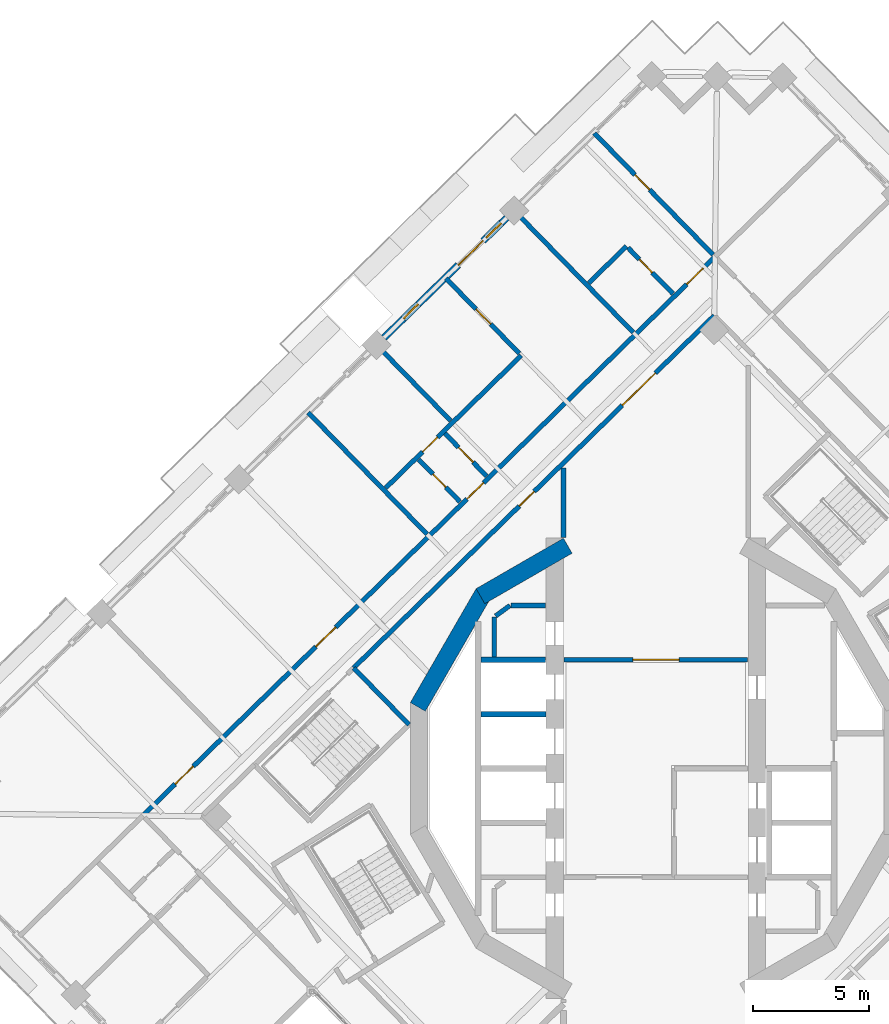
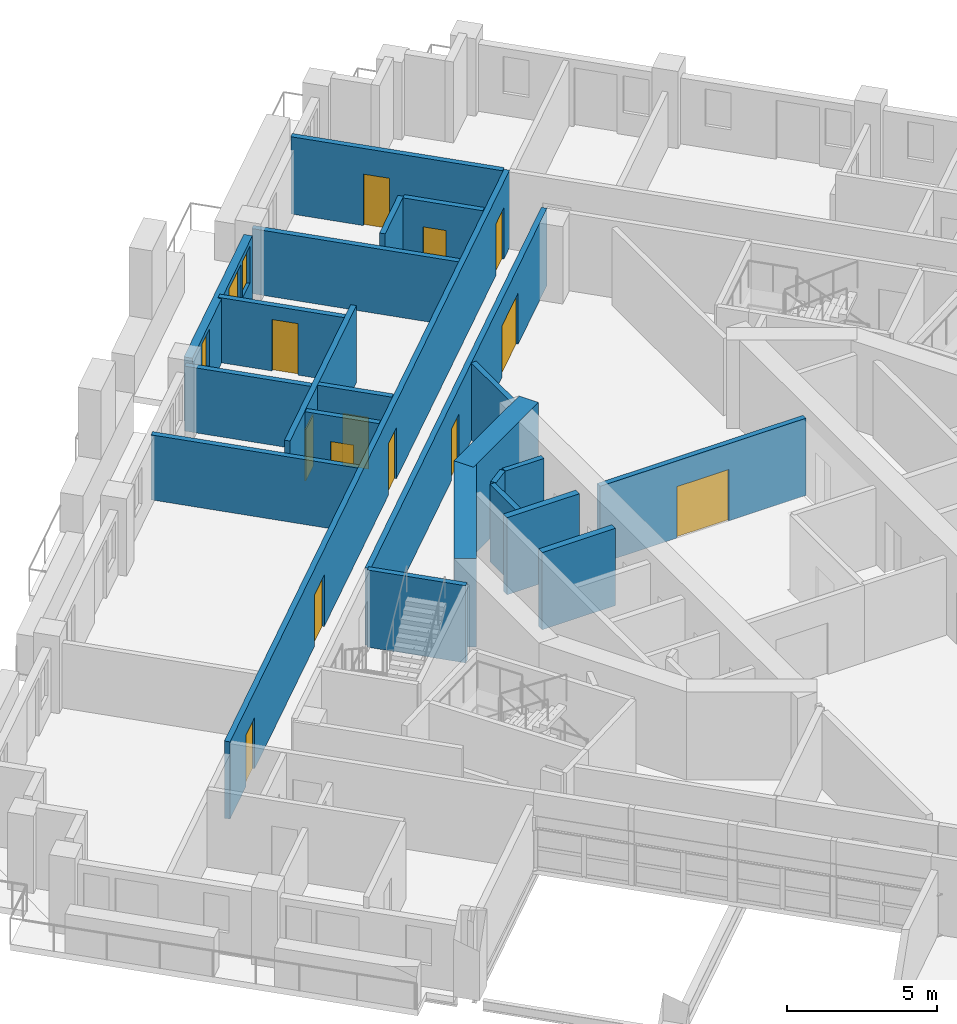
# One storey, part 10 of 19: 23 walls, 14 doors, 2 windows, 16 openings.
"""IFC4 building model written with IfcOpenShell, lengths in metres."""

from ifc_helpers import new_model, si_unit, direction, frame, frame_2d, origin, place, context, subcontext, project, spatial, rectangle, extrude, material, layer, layer_set, type_object, element, fill, save


model = new_model("IFC4")

# Units and contexts
model_context = context("Model", 3, precision=1e-05, world=origin(), true_north=direction((0.0, 1.0)))
body_context = subcontext(model_context, "Body", "Model", "MODEL_VIEW")
ifc_project = project(units=[si_unit("LENGTHUNIT", "METRE"), si_unit("AREAUNIT", "SQUARE_METRE"), si_unit("VOLUMEUNIT", "CUBIC_METRE"), si_unit("PLANEANGLEUNIT", "RADIAN"), si_unit("MASSUNIT", "GRAM", prefix="KILO")], contexts=[model_context])

# Site, building, storey
site_placement = place(None, origin())
site = spatial("IfcSite", under=ifc_project, at=site_placement, CompositionType="ELEMENT")
building_placement = place(site_placement, origin())
building = spatial("IfcBuilding", under=site, at=building_placement, Name="Cantera Rosa Tower", CompositionType="ELEMENT")
storey_placement = place(building_placement, frame((0.0, 0.0, 241.39990234375)))
storey = spatial("IfcBuildingStorey", under=building, at=storey_placement, Name="L53", CompositionType="ELEMENT", Elevation=241.39990234375)

# Wall
ifc_material_1 = material(Name="Gypsum board partition")
ifc_layer_1 = layer(ifc_material_1, 0.199951171875)
ifc_layer_set_1 = layer_set([ifc_layer_1], Name="CORRIDOR WALL 200 H3150")
wall_type_1 = type_object("IfcWallType", Name="CORRIDOR WALL 200 H3150", PredefinedType="PARTITIONING", material=ifc_layer_set_1)
wall_1_placement = place(storey_placement, frame((-4.0, 12.998046875, 0.0), z_axis=(0.0, 0.0, 1.0), x_axis=(0.0, -1.0, 0.0)))
element("IfcWall", 1, at=wall_1_placement, inside=storey, type_object=wall_type_1, Name="CORRIDOR WALL L53-056", PredefinedType="PARTITIONING", context=body_context, shape_type="SweptSolid", body=[
    extrude(rectangle(XDim=3.00390625, YDim=0.199951171875, at=frame_2d((1.501953125, 0.0))), origin(), (0.0, 0.0, 1.0), 3.150146484375),
])

# Wall, opening, door
wall_2_placement = place(storey_placement, frame((-3.969970703125, 4.699951171875, 0.0), z_axis=(0.0, 0.0, 1.0), x_axis=(1.0, 0.0, 0.0)))
wall_2 = element("IfcWall", 2, at=wall_2_placement, inside=storey, type_object=wall_type_1, Name="CORRIDOR WALL L53-057", PredefinedType="PARTITIONING", context=body_context, shape_type="SweptSolid", body=[
    extrude(rectangle(XDim=7.93994140625, YDim=0.199951171875, at=frame_2d((3.969970703125, 0.0))), origin(), (0.0, 0.0, 1.0), 3.150146484375),
])
opening_1_placement = place(wall_2_placement, frame((2.969970703125, 0.0, 0.0)))
opening_1 = element("IfcOpeningElement", 3, at=opening_1_placement, cuts=wall_2, Name="Opening L53-013", PredefinedType="OPENING", context=body_context, shape_type="SweptSolid", body=[
    extrude(rectangle(XDim=2.0, YDim=2.10009765625, at=frame_2d((1.0, 1.050048828125))), frame((0.0, 0.10986328125, 0.0), z_axis=(0.0, -1.0, 0.0), x_axis=(1.0, 0.0, 0.0)), (0.0, 0.0, 1.0), 0.219970703125),
])
ifc_material_2 = material(Name="Steel S355J2 (EN 10025-2)", Category="steel")
door_type_1 = type_object("IfcDoorType", Name="LOBBY SCREEN DOOR 2000x2100", OperationType="NOTDEFINED", PredefinedType="DOOR", material=ifc_material_2)
door_1_placement = place(opening_1_placement, origin())
door_1 = element("IfcDoor", 4, at=door_1_placement, inside=storey, type_object=door_type_1, Name="DOOR L53-013", OperationType="NOTDEFINED", OverallHeight=2.10009765625, OverallWidth=2.0, PredefinedType="DOOR", context=body_context, shape_type="SweptSolid", body=[
    extrude(rectangle(XDim=2.0, YDim=2.10009765625, at=frame_2d((1.0, 1.050048828125))), frame((0.0, 0.02490234375, 0.0), z_axis=(0.0, -1.0, 0.0), x_axis=(1.0, 0.0, 0.0)), (0.0, 0.0, 1.0), 0.050048828125),
])
fill(opening_1, door_1)

# Wall, openings, doors
wall_3_placement = place(storey_placement, frame((2.5263671875, 19.593994140625, 0.0), z_axis=(0.0, 0.0, 1.0), x_axis=(-0.715295644999, -0.698821966059, 0.0)))
wall_3 = element("IfcWall", 5, at=wall_3_placement, inside=storey, type_object=wall_type_1, Name="CORRIDOR WALL L53-067", PredefinedType="PARTITIONING", context=body_context, shape_type="SweptSolid", body=[
    extrude(rectangle(XDim=21.815185546875, YDim=0.199951171875, at=frame_2d((10.90771484375, 0.0))), origin(), (0.0, 0.0, 1.0), 3.150146484375),
])
opening_2_placement = place(wall_3_placement, frame((10.89501953125, 0.0, 0.0)))
opening_2 = element("IfcOpeningElement", 6, at=opening_2_placement, cuts=wall_3, Name="Opening L53-008", PredefinedType="OPENING", context=body_context, shape_type="SweptSolid", body=[
    extrude(rectangle(XDim=0.89990234375, YDim=2.10009765625, at=frame_2d((0.449951171875, 1.050048828125))), frame((0.0, 0.10986328125, 0.0), z_axis=(0.0, -1.0, 0.0), x_axis=(1.0, 0.0, 0.0)), (0.0, 0.0, 1.0), 0.219970703125),
])
opening_3_placement = place(wall_3_placement, frame((3.56201171875, 0.0, 0.0)))
opening_3 = element("IfcOpeningElement", 7, at=opening_3_placement, cuts=wall_3, Name="Opening L53-012", PredefinedType="OPENING", context=body_context, shape_type="SweptSolid", body=[
    extrude(rectangle(XDim=2.0, YDim=2.10009765625, at=frame_2d((1.0, 1.050048828125))), frame((0.0, 0.10986328125, 0.0), z_axis=(0.0, -1.0, 0.0), x_axis=(1.0, 0.0, 0.0)), (0.0, 0.0, 1.0), 0.219970703125),
])
door_2_placement = place(opening_3_placement, origin())
door_2 = element("IfcDoor", 8, at=door_2_placement, inside=storey, type_object=door_type_1, Name="DOOR L53-012", OperationType="NOTDEFINED", OverallHeight=2.10009765625, OverallWidth=2.0, PredefinedType="DOOR", context=body_context, shape_type="SweptSolid", body=[
    extrude(rectangle(XDim=2.0, YDim=2.10009765625, at=frame_2d((1.0, 1.050048828125))), frame((0.0, 0.02490234375, 0.0), z_axis=(0.0, -1.0, 0.0), x_axis=(1.0, 0.0, 0.0)), (0.0, 0.0, 1.0), 0.050048828125),
])
fill(opening_3, door_2)
ifc_material_3 = material(Name="Timber door leaf", Category="wood")
door_type_2 = type_object("IfcDoorType", Name="SERVICE DOOR 900x2100", OperationType="NOTDEFINED", PredefinedType="DOOR", material=ifc_material_3)
door_3_placement = place(opening_2_placement, origin())
door_3 = element("IfcDoor", 9, at=door_3_placement, inside=storey, type_object=door_type_2, Name="DOOR L53-008", OperationType="NOTDEFINED", OverallHeight=2.10009765625, OverallWidth=0.89990234375, PredefinedType="DOOR", context=body_context, shape_type="SweptSolid", body=[
    extrude(rectangle(XDim=0.89990234375, YDim=2.10009765625, at=frame_2d((0.449951171875, 1.050048828125))), frame((0.0, 0.02490234375, 0.0), z_axis=(0.0, -1.0, 0.0), x_axis=(1.0, 0.0, 0.0)), (0.0, 0.0, 1.0), 0.050048828125),
])
fill(opening_2, door_3)

wall_4_placement = place(storey_placement, frame((2.555908203125, 22.1396484375, 0.0), z_axis=(0.0, 0.0, 1.0), x_axis=(-0.715286274513, -0.698831557311, 0.0)))
wall_4 = element("IfcWall", 10, at=wall_4_placement, inside=storey, type_object=wall_type_1, Name="CORRIDOR WALL L53-068", PredefinedType="PARTITIONING", context=body_context, shape_type="SweptSolid", body=[
    extrude(rectangle(XDim=34.60009765625, YDim=0.199951171875, at=frame_2d((17.300048828125, 0.0))), origin(), (0.0, 0.0, 1.0), 3.150146484375),
])
opening_4_placement = place(wall_4_placement, frame((22.93994140625, 0.0, 0.0)))
opening_4 = element("IfcOpeningElement", 11, at=opening_4_placement, cuts=wall_4, Name="Opening L53-031", PredefinedType="OPENING", context=body_context, shape_type="SweptSolid", body=[
    extrude(rectangle(XDim=1.199951171875, YDim=2.10009765625, at=frame_2d((0.60009765625, 1.050048828125))), frame((0.0, 0.10986328125, 0.0), z_axis=(0.0, -1.0, 0.0), x_axis=(1.0, 0.0, 0.0)), (0.0, 0.0, 1.0), 0.219970703125),
])
opening_5_placement = place(wall_4_placement, frame((14.0, 0.0, 0.0)))
opening_5 = element("IfcOpeningElement", 12, at=opening_5_placement, cuts=wall_4, Name="Opening L53-032", PredefinedType="OPENING", context=body_context, shape_type="SweptSolid", body=[
    extrude(rectangle(XDim=1.0, YDim=2.10009765625, at=frame_2d((0.5, 1.050048828125))), frame((0.0, 0.10986328125, 0.0), z_axis=(0.0, -1.0, 0.0), x_axis=(1.0, 0.0, 0.0)), (0.0, 0.0, 1.0), 0.219970703125),
])
opening_6_placement = place(wall_4_placement, frame((0.7099609375, 0.0, 0.0)))
opening_6 = element("IfcOpeningElement", 13, at=opening_6_placement, cuts=wall_4, Name="Opening L53-037", PredefinedType="OPENING", context=body_context, shape_type="SweptSolid", body=[
    extrude(rectangle(XDim=1.0, YDim=2.10009765625, at=frame_2d((0.5, 1.050048828125))), frame((0.0, 0.10986328125, 0.0), z_axis=(0.0, -1.0, 0.0), x_axis=(1.0, 0.0, 0.0)), (0.0, 0.0, 1.0), 0.219970703125),
])
opening_7_placement = place(wall_4_placement, frame((31.550048828125, 0.0, 0.0)))
opening_7 = element("IfcOpeningElement", 14, at=opening_7_placement, cuts=wall_4, Name="Opening L53-040", PredefinedType="OPENING", context=body_context, shape_type="SweptSolid", body=[
    extrude(rectangle(XDim=1.10009765625, YDim=2.10009765625, at=frame_2d((0.550048828125, 1.050048828125))), frame((0.0, 0.10986328125, 0.0), z_axis=(0.0, -1.0, 0.0), x_axis=(1.0, 0.0, 0.0)), (0.0, 0.0, 1.0), 0.219970703125),
])
ifc_material_4 = material(Name="Timber door leaf", Category="wood")
door_type_3 = type_object("IfcDoorType", Name="ENTRANCE DOOR 1000x2100", OperationType="NOTDEFINED", PredefinedType="DOOR", material=ifc_material_4)
door_4_placement = place(opening_5_placement, origin())
door_4 = element("IfcDoor", 15, at=door_4_placement, inside=storey, type_object=door_type_3, Name="DOOR L53-032", OperationType="NOTDEFINED", OverallHeight=2.10009765625, OverallWidth=1.0, PredefinedType="DOOR", context=body_context, shape_type="SweptSolid", body=[
    extrude(rectangle(XDim=1.0, YDim=2.10009765625, at=frame_2d((0.5, 1.050048828125))), frame((0.0, 0.02490234375, 0.0), z_axis=(0.0, -1.0, 0.0), x_axis=(1.0, 0.0, 0.0)), (0.0, 0.0, 1.0), 0.050048828125),
])
fill(opening_5, door_4)
door_5_placement = place(opening_6_placement, origin())
door_5 = element("IfcDoor", 16, at=door_5_placement, inside=storey, type_object=door_type_3, Name="DOOR L53-037", OperationType="NOTDEFINED", OverallHeight=2.10009765625, OverallWidth=1.0, PredefinedType="DOOR", context=body_context, shape_type="SweptSolid", body=[
    extrude(rectangle(XDim=1.0, YDim=2.10009765625, at=frame_2d((0.5, 1.050048828125))), frame((0.0, 0.02490234375, 0.0), z_axis=(0.0, -1.0, 0.0), x_axis=(1.0, 0.0, 0.0)), (0.0, 0.0, 1.0), 0.050048828125),
])
fill(opening_6, door_5)
ifc_material_5 = material(Name="Timber door leaf", Category="wood")
door_type_4 = type_object("IfcDoorType", Name="ROOM DOOR 1100x2100", OperationType="NOTDEFINED", PredefinedType="DOOR", material=ifc_material_5)
door_6_placement = place(opening_7_placement, origin())
door_6 = element("IfcDoor", 17, at=door_6_placement, inside=storey, type_object=door_type_4, Name="DOOR L53-040", OperationType="NOTDEFINED", OverallHeight=2.10009765625, OverallWidth=1.10009765625, PredefinedType="DOOR", context=body_context, shape_type="SweptSolid", body=[
    extrude(rectangle(XDim=1.10009765625, YDim=2.10009765625, at=frame_2d((0.550048828125, 1.050048828125))), frame((0.0, 0.02490234375, 0.0), z_axis=(0.0, -1.0, 0.0), x_axis=(1.0, 0.0, 0.0)), (0.0, 0.0, 1.0), 0.050048828125),
])
fill(opening_7, door_6)
ifc_material_6 = material(Name="Timber door leaf", Category="wood")
door_type_5 = type_object("IfcDoorType", Name="ROOM DOOR 1200x2100", OperationType="NOTDEFINED", PredefinedType="DOOR", material=ifc_material_6)
door_7_placement = place(opening_4_placement, origin())
door_7 = element("IfcDoor", 18, at=door_7_placement, inside=storey, type_object=door_type_5, Name="DOOR L53-031", OperationType="NOTDEFINED", OverallHeight=2.10009765625, OverallWidth=1.199951171875, PredefinedType="DOOR", context=body_context, shape_type="SweptSolid", body=[
    extrude(rectangle(XDim=1.199951171875, YDim=2.10009765625, at=frame_2d((0.60009765625, 1.050048828125))), frame((0.0, 0.02490234375, 0.0), z_axis=(0.0, -1.0, 0.0), x_axis=(1.0, 0.0, 0.0)), (0.0, 0.0, 1.0), 0.050048828125),
])
fill(opening_4, door_7)

# Wall, openings, windows, door
ifc_material_7 = material(Name="Hollow clay masonry with cantera stone cladding", Category="masonry")
ifc_layer_2 = layer(ifc_material_7, 0.300048828125)
ifc_layer_set_2 = layer_set([ifc_layer_2], Name="EW-LOGGIA 300 H2620")
wall_type_2 = type_object("IfcWallType", Name="EW-LOGGIA 300 H2620", PredefinedType="SOLIDWALL", material=ifc_layer_set_2)
wall_5_placement = place(storey_placement, frame((-6.454833984375, 23.8212890625, 0.0), z_axis=(0.0, 0.0, 1.0), x_axis=(-0.715300826176, -0.698816662703, 0.0)))
wall_5 = element("IfcWall", 19, at=wall_5_placement, inside=storey, type_object=wall_type_2, Name="EN-L53-W08", PredefinedType="SOLIDWALL", context=body_context, shape_type="SweptSolid", body=[
    extrude(rectangle(XDim=7.420166015625, YDim=0.300048828125, at=frame_2d((3.7099609375, 0.0))), origin(), (0.0, 0.0, 1.0), 2.6201171875),
])
opening_8_placement = place(wall_5_placement, frame((0.330078125, 0.0, 0.89990234375)))
opening_8 = element("IfcOpeningElement", 20, at=opening_8_placement, cuts=wall_5, Name="Opening L53-W16", PredefinedType="OPENING", context=body_context, shape_type="SweptSolid", body=[
    extrude(rectangle(XDim=0.89990234375, YDim=1.5, at=frame_2d((0.449951171875, 0.75))), frame((0.0, 0.159912109375, 0.0), z_axis=(0.0, -1.0, 0.0), x_axis=(1.0, 0.0, 0.0)), (0.0, 0.0, 1.0), 0.320068359375),
])
opening_9_placement = place(wall_5_placement, frame((1.429931640625, 0.0, 0.0)))
opening_9 = element("IfcOpeningElement", 21, at=opening_9_placement, cuts=wall_5, Name="Opening L53-TD17", PredefinedType="OPENING", context=body_context, shape_type="SweptSolid", body=[
    extrude(rectangle(XDim=1.5, YDim=2.39990234375, at=frame_2d((0.75, 1.199951171875))), frame((0.0, 0.159912109375, 0.0), z_axis=(0.0, -1.0, 0.0), x_axis=(1.0, 0.0, 0.0)), (0.0, 0.0, 1.0), 0.320068359375),
])
opening_10_placement = place(wall_5_placement, frame((5.340087890625, 0.0, 0.89990234375)))
opening_10 = element("IfcOpeningElement", 22, at=opening_10_placement, cuts=wall_5, Name="Opening L53-W18", PredefinedType="OPENING", context=body_context, shape_type="SweptSolid", body=[
    extrude(rectangle(XDim=0.89990234375, YDim=1.5, at=frame_2d((0.449951171875, 0.75))), frame((0.0, 0.159912109375, 0.0), z_axis=(0.0, -1.0, 0.0), x_axis=(1.0, 0.0, 0.0)), (0.0, 0.0, 1.0), 0.320068359375),
])
ifc_material_8 = material(Name="Aluminium frame with clear glass", Category="aluminium")
window_type = type_object("IfcWindowType", Name="Residential window 900x1500", PartitioningType="SINGLE_PANEL", PredefinedType="WINDOW", material=ifc_material_8)
window_1_placement = place(opening_8_placement, origin())
window_1 = element("IfcWindow", 23, at=window_1_placement, inside=storey, type_object=window_type, Name="WINDOW L53-W16", OverallHeight=1.5, OverallWidth=0.89990234375, PartitioningType="SINGLE_PANEL", PredefinedType="WINDOW", context=body_context, shape_type="SweptSolid", body=[
    extrude(rectangle(XDim=0.89990234375, YDim=1.5, at=frame_2d((0.449951171875, 0.75))), frame((0.0, 0.030029296875, 0.0), z_axis=(0.0, -1.0, 0.0), x_axis=(1.0, 0.0, 0.0)), (0.0, 0.0, 1.0), 0.06005859375),
])
fill(opening_8, window_1)
window_2_placement = place(opening_10_placement, origin())
window_2 = element("IfcWindow", 24, at=window_2_placement, inside=storey, type_object=window_type, Name="WINDOW L53-W18", OverallHeight=1.5, OverallWidth=0.89990234375, PartitioningType="SINGLE_PANEL", PredefinedType="WINDOW", context=body_context, shape_type="SweptSolid", body=[
    extrude(rectangle(XDim=0.89990234375, YDim=1.5, at=frame_2d((0.449951171875, 0.75))), frame((0.0, 0.030029296875, 0.0), z_axis=(0.0, -1.0, 0.0), x_axis=(1.0, 0.0, 0.0)), (0.0, 0.0, 1.0), 0.06005859375),
])
fill(opening_10, window_2)
ifc_material_9 = material(Name="Aluminium frame with clear glass", Category="aluminium")
door_type_6 = type_object("IfcDoorType", Name="TD-R 1500x2400", OperationType="NOTDEFINED", PredefinedType="DOOR", material=ifc_material_9)
door_8_placement = place(opening_9_placement, origin())
door_8 = element("IfcDoor", 25, at=door_8_placement, inside=storey, type_object=door_type_6, Name="LOGGIA DOOR L53-TD17", OperationType="SLIDING_TO_LEFT", OverallHeight=2.39990234375, OverallWidth=1.5, PredefinedType="DOOR", context=body_context, shape_type="SweptSolid", body=[
    extrude(rectangle(XDim=1.5, YDim=2.39990234375, at=frame_2d((0.75, 1.199951171875))), frame((0.0, 0.02490234375, 0.0), z_axis=(0.0, -1.0, 0.0), x_axis=(1.0, 0.0, 0.0)), (0.0, 0.0, 1.0), 0.050048828125),
])
fill(opening_9, door_8)

# Wall
ifc_material_10 = material(Name="Gypsum board partition")
ifc_layer_3 = layer(ifc_material_10, 0.199951171875)
ifc_layer_set_3 = layer_set([ifc_layer_3], Name="PARTITION 200 H2650")
wall_type_3 = type_object("IfcWallType", Name="PARTITION 200 H2650", PredefinedType="PARTITIONING", material=ifc_layer_set_3)
wall_6_placement = place(storey_placement, frame((-12.063232421875, 18.300048828125, 0.0), z_axis=(0.0, 0.0, 1.0), x_axis=(0.698822536041, -0.715295088142, 0.0)))
element("IfcWall", 26, at=wall_6_placement, inside=storey, type_object=wall_type_3, Name="PARTITION L53-025", PredefinedType="PARTITIONING", context=body_context, shape_type="SweptSolid", body=[
    extrude(rectangle(XDim=4.550048828125, YDim=0.199951171875, at=frame_2d((2.27490234375, 0.0))), origin(), (0.0, 0.0, 1.0), 2.650146484375),
])

# Wall, opening, door
wall_7_placement = place(storey_placement, frame((-9.087646484375, 21.207275390625, 0.0), z_axis=(0.0, 0.0, 1.0), x_axis=(0.698822536041, -0.715295088142, 0.0)))
wall_7 = element("IfcWall", 27, at=wall_7_placement, inside=storey, type_object=wall_type_3, Name="PARTITION L53-036", PredefinedType="PARTITIONING", context=body_context, shape_type="SweptSolid", body=[
    extrude(rectangle(XDim=4.550048828125, YDim=0.199951171875, at=frame_2d((2.27490234375, 0.0))), origin(), (0.0, 0.0, 1.0), 2.650146484375),
])
opening_11_placement = place(wall_7_placement, frame((1.8701171875, 0.0, 0.0)))
opening_11 = element("IfcOpeningElement", 28, at=opening_11_placement, cuts=wall_7, Name="Opening L53-036", PredefinedType="OPENING", context=body_context, shape_type="SweptSolid", body=[
    extrude(rectangle(XDim=0.89990234375, YDim=2.10009765625, at=frame_2d((0.449951171875, 1.050048828125))), frame((0.0, 0.10986328125, 0.0), z_axis=(0.0, -1.0, 0.0), x_axis=(1.0, 0.0, 0.0)), (0.0, 0.0, 1.0), 0.219970703125),
])
ifc_material_11 = material(Name="Timber door leaf", Category="wood")
door_type_7 = type_object("IfcDoorType", Name="ROOM DOOR 900x2100", OperationType="NOTDEFINED", PredefinedType="DOOR", material=ifc_material_11)
door_9_placement = place(opening_11_placement, origin())
door_9 = element("IfcDoor", 29, at=door_9_placement, inside=storey, type_object=door_type_7, Name="DOOR L53-036", OperationType="NOTDEFINED", OverallHeight=2.10009765625, OverallWidth=0.89990234375, PredefinedType="DOOR", context=body_context, shape_type="SweptSolid", body=[
    extrude(rectangle(XDim=0.89990234375, YDim=2.10009765625, at=frame_2d((0.449951171875, 1.050048828125))), frame((0.0, 0.02490234375, 0.0), z_axis=(0.0, -1.0, 0.0), x_axis=(1.0, 0.0, 0.0)), (0.0, 0.0, 1.0), 0.050048828125),
])
fill(opening_11, door_9)

ifc_material_12 = material(Name="Gypsum board partition")
ifc_layer_4 = layer(ifc_material_12, 0.199951171875)
ifc_layer_set_4 = layer_set([ifc_layer_4], Name="PARTITION 200 H3150")
wall_type_4 = type_object("IfcWallType", Name="PARTITION 200 H3150", PredefinedType="PARTITIONING", material=ifc_layer_set_4)
wall_8_placement = place(storey_placement, frame((-11.689453125, 12.136474609375, 0.0), z_axis=(0.0, 0.0, 1.0), x_axis=(0.715276493207, 0.698841568788, 0.0)))
wall_8 = element("IfcWall", 30, at=wall_8_placement, inside=storey, type_object=wall_type_4, Name="PARTITION L53-028", PredefinedType="PARTITIONING", context=body_context, shape_type="SweptSolid", body=[
    extrude(rectangle(XDim=8.199951171875, YDim=0.199951171875, at=frame_2d((4.10009765625, 0.0))), origin(), (0.0, 0.0, 1.0), 3.150146484375),
])
opening_12_placement = place(wall_8_placement, frame((2.22998046875, 0.0, 0.0)))
opening_12 = element("IfcOpeningElement", 31, at=opening_12_placement, cuts=wall_8, Name="Opening L53-035", PredefinedType="OPENING", context=body_context, shape_type="SweptSolid", body=[
    extrude(rectangle(XDim=0.89990234375, YDim=2.10009765625, at=frame_2d((0.449951171875, 1.050048828125))), frame((0.0, 0.10986328125, 0.0), z_axis=(0.0, -1.0, 0.0), x_axis=(1.0, 0.0, 0.0)), (0.0, 0.0, 1.0), 0.219970703125),
])
door_10_placement = place(opening_12_placement, origin())
door_10 = element("IfcDoor", 32, at=door_10_placement, inside=storey, type_object=door_type_7, Name="DOOR L53-035", OperationType="NOTDEFINED", OverallHeight=2.10009765625, OverallWidth=0.89990234375, PredefinedType="DOOR", context=body_context, shape_type="SweptSolid", body=[
    extrude(rectangle(XDim=0.89990234375, YDim=2.10009765625, at=frame_2d((0.449951171875, 1.050048828125))), frame((0.0, 0.02490234375, 0.0), z_axis=(0.0, -1.0, 0.0), x_axis=(1.0, 0.0, 0.0)), (0.0, 0.0, 1.0), 0.050048828125),
])
fill(opening_12, door_10)

wall_9_placement = place(storey_placement, frame((-10.260986328125, 13.364501953125, 0.0), z_axis=(0.0, 0.0, 1.0), x_axis=(0.698809886965, -0.715307445705, 0.0)))
wall_9 = element("IfcWall", 33, at=wall_9_placement, inside=storey, type_object=wall_type_4, Name="PARTITION L53-032", PredefinedType="PARTITIONING", context=body_context, shape_type="SweptSolid", body=[
    extrude(rectangle(XDim=2.56005859375, YDim=0.199951171875, at=frame_2d((1.280029296875, 0.0))), origin(), (0.0, 0.0, 1.0), 3.150146484375),
])
opening_13_placement = place(wall_9_placement, frame((0.8798828125, 0.0, 0.0)))
opening_13 = element("IfcOpeningElement", 34, at=opening_13_placement, cuts=wall_9, Name="Opening L53-033", PredefinedType="OPENING", context=body_context, shape_type="SweptSolid", body=[
    extrude(rectangle(XDim=0.800048828125, YDim=2.10009765625, at=frame_2d((0.39990234375, 1.050048828125))), frame((0.0, 0.10986328125, 0.0), z_axis=(0.0, -1.0, 0.0), x_axis=(1.0, 0.0, 0.0)), (0.0, 0.0, 1.0), 0.219970703125),
])
ifc_material_13 = material(Name="Timber door leaf", Category="wood")
door_type_8 = type_object("IfcDoorType", Name="BATHROOM DOOR 800x2100", OperationType="NOTDEFINED", PredefinedType="DOOR", material=ifc_material_13)
door_11_placement = place(opening_13_placement, origin())
door_11 = element("IfcDoor", 35, at=door_11_placement, inside=storey, type_object=door_type_8, Name="DOOR L53-033", OperationType="NOTDEFINED", OverallHeight=2.10009765625, OverallWidth=0.800048828125, PredefinedType="DOOR", context=body_context, shape_type="SweptSolid", body=[
    extrude(rectangle(XDim=0.800048828125, YDim=2.10009765625, at=frame_2d((0.39990234375, 1.050048828125))), frame((0.0, 0.02490234375, 0.0), z_axis=(0.0, -1.0, 0.0), x_axis=(1.0, 0.0, 0.0)), (0.0, 0.0, 1.0), 0.050048828125),
])
fill(opening_13, door_11)

wall_10_placement = place(storey_placement, frame((-9.13037109375, 14.496826171875, 0.0), z_axis=(0.0, 0.0, 1.0), x_axis=(0.698826236875, -0.715291472517, 0.0)))
wall_10 = element("IfcWall", 36, at=wall_10_placement, inside=storey, type_object=wall_type_4, Name="PARTITION L53-035", PredefinedType="PARTITIONING", context=body_context, shape_type="SweptSolid", body=[
    extrude(rectangle(XDim=2.580078125, YDim=0.199951171875, at=frame_2d((1.2900390625, 0.0))), origin(), (0.0, 0.0, 1.0), 3.150146484375),
])
opening_14_placement = place(wall_10_placement, frame((0.85009765625, 0.0, 0.0)))
opening_14 = element("IfcOpeningElement", 37, at=opening_14_placement, cuts=wall_10, Name="Opening L53-034", PredefinedType="OPENING", context=body_context, shape_type="SweptSolid", body=[
    extrude(rectangle(XDim=0.89990234375, YDim=2.10009765625, at=frame_2d((0.449951171875, 1.050048828125))), frame((0.0, 0.10986328125, 0.0), z_axis=(0.0, -1.0, 0.0), x_axis=(1.0, 0.0, 0.0)), (0.0, 0.0, 1.0), 0.219970703125),
])
door_12_placement = place(opening_14_placement, origin())
door_12 = element("IfcDoor", 38, at=door_12_placement, inside=storey, type_object=door_type_7, Name="DOOR L53-034", OperationType="NOTDEFINED", OverallHeight=2.10009765625, OverallWidth=0.89990234375, PredefinedType="DOOR", context=body_context, shape_type="SweptSolid", body=[
    extrude(rectangle(XDim=0.89990234375, YDim=2.10009765625, at=frame_2d((0.449951171875, 1.050048828125))), frame((0.0, 0.02490234375, 0.0), z_axis=(0.0, -1.0, 0.0), x_axis=(1.0, 0.0, 0.0)), (0.0, 0.0, 1.0), 0.050048828125),
])
fill(opening_14, door_12)

# Walls
wall_11_placement = place(storey_placement, frame((-7.0, 4.824951171875, 0.0), z_axis=(0.0, 0.0, 1.0), x_axis=(0.0, 1.0, 0.0)))
element("IfcWall", 39, at=wall_11_placement, inside=storey, type_object=wall_type_4, Name="PARTITION L53-046", PredefinedType="PARTITIONING", context=body_context, shape_type="SweptSolid", body=[
    extrude(rectangle(XDim=1.72509765625, YDim=0.199951171875, at=frame_2d((0.862548828125, 0.0))), origin(), (0.0, 0.0, 1.0), 3.150146484375),
])
wall_12_placement = place(storey_placement, frame((-6.935302734375, 6.59716796875, 0.0), z_axis=(0.0, 0.0, 1.0), x_axis=(0.808227862651, 0.588869868506, 0.0)))
element("IfcWall", 40, at=wall_12_placement, inside=storey, type_object=wall_type_4, Name="PARTITION L53-047", PredefinedType="PARTITIONING", context=body_context, shape_type="SweptSolid", body=[
    extrude(rectangle(XDim=0.76904296875, YDim=0.199951171875, at=frame_2d((0.384521484375, 0.0))), origin(), (0.0, 0.0, 1.0), 3.150146484375),
])
wall_13_placement = place(storey_placement, frame((-6.273681640625, 7.050048828125, 0.0), z_axis=(0.0, 0.0, 1.0), x_axis=(1.0, 0.0, 0.0)))
element("IfcWall", 41, at=wall_13_placement, inside=storey, type_object=wall_type_4, Name="PARTITION L53-048", PredefinedType="PARTITIONING", context=body_context, shape_type="SweptSolid", body=[
    extrude(rectangle(XDim=1.49365234375, YDim=0.199951171875, at=frame_2d((0.746826171875, 0.0))), origin(), (0.0, 0.0, 1.0), 3.150146484375),
])
wall_14_placement = place(storey_placement, frame((-2.902587890625, 21.0009765625, 0.0), z_axis=(0.0, 0.0, 1.0), x_axis=(0.715356263827, 0.698759912848, 0.0)))
element("IfcWall", 42, at=wall_14_placement, inside=storey, type_object=wall_type_4, Name="PARTITION L53-058", PredefinedType="PARTITIONING", context=body_context, shape_type="SweptSolid", body=[
    extrude(rectangle(XDim=2.280029296875, YDim=0.199951171875, at=frame_2d((1.14013671875, 0.0))), origin(), (0.0, 0.0, 1.0), 3.150146484375),
])

# Wall, opening, door
wall_15_placement = place(storey_placement, frame((-1.20166015625, 22.522705078125, 0.0), z_axis=(0.0, 0.0, 1.0), x_axis=(0.698803279279, -0.715313900934, 0.0)))
wall_15 = element("IfcWall", 43, at=wall_15_placement, inside=storey, type_object=wall_type_4, Name="PARTITION L53-062", PredefinedType="PARTITIONING", context=body_context, shape_type="SweptSolid", body=[
    extrude(rectangle(XDim=2.780029296875, YDim=0.199951171875, at=frame_2d((1.39013671875, 0.0))), origin(), (0.0, 0.0, 1.0), 3.150146484375),
])
opening_15_placement = place(wall_15_placement, frame((0.699951171875, 0.0, 0.0)))
opening_15 = element("IfcOpeningElement", 44, at=opening_15_placement, cuts=wall_15, Name="Opening L53-038", PredefinedType="OPENING", context=body_context, shape_type="SweptSolid", body=[
    extrude(rectangle(XDim=0.800048828125, YDim=2.10009765625, at=frame_2d((0.39990234375, 1.050048828125))), frame((0.0, 0.10986328125, 0.0), z_axis=(0.0, -1.0, 0.0), x_axis=(1.0, 0.0, 0.0)), (0.0, 0.0, 1.0), 0.219970703125),
])
door_13_placement = place(opening_15_placement, origin())
door_13 = element("IfcDoor", 45, at=door_13_placement, inside=storey, type_object=door_type_8, Name="DOOR L53-038", OperationType="NOTDEFINED", OverallHeight=2.10009765625, OverallWidth=0.800048828125, PredefinedType="DOOR", context=body_context, shape_type="SweptSolid", body=[
    extrude(rectangle(XDim=0.800048828125, YDim=2.10009765625, at=frame_2d((0.39990234375, 1.050048828125))), frame((0.0, 0.02490234375, 0.0), z_axis=(0.0, -1.0, 0.0), x_axis=(1.0, 0.0, 0.0)), (0.0, 0.0, 1.0), 0.050048828125),
])
fill(opening_15, door_13)

wall_16_placement = place(storey_placement, frame((2.471923828125, 22.225341796875, 0.0), z_axis=(0.0, 0.0, 1.0), x_axis=(-0.698820957739, 0.715296630095, 0.0)))
wall_16 = element("IfcWall", 46, at=wall_16_placement, inside=storey, type_object=wall_type_4, Name="PARTITION L53-069", PredefinedType="PARTITIONING", context=body_context, shape_type="SweptSolid", body=[
    extrude(rectangle(XDim=7.349853515625, YDim=0.199951171875, at=frame_2d((3.6748046875, 0.0))), origin(), (0.0, 0.0, 1.0), 3.150146484375),
])
opening_16_placement = place(wall_16_placement, frame((3.929931640625, 0.0, 0.0)))
opening_16 = element("IfcOpeningElement", 47, at=opening_16_placement, cuts=wall_16, Name="Opening L53-039", PredefinedType="OPENING", context=body_context, shape_type="SweptSolid", body=[
    extrude(rectangle(XDim=0.89990234375, YDim=2.10009765625, at=frame_2d((0.449951171875, 1.050048828125))), frame((0.0, 0.10986328125, 0.0), z_axis=(0.0, -1.0, 0.0), x_axis=(1.0, 0.0, 0.0)), (0.0, 0.0, 1.0), 0.219970703125),
])
door_14_placement = place(opening_16_placement, origin())
door_14 = element("IfcDoor", 48, at=door_14_placement, inside=storey, type_object=door_type_7, Name="DOOR L53-039", OperationType="NOTDEFINED", OverallHeight=2.10009765625, OverallWidth=0.89990234375, PredefinedType="DOOR", context=body_context, shape_type="SweptSolid", body=[
    extrude(rectangle(XDim=0.89990234375, YDim=2.10009765625, at=frame_2d((0.449951171875, 1.050048828125))), frame((0.0, 0.02490234375, 0.0), z_axis=(0.0, -1.0, 0.0), x_axis=(1.0, 0.0, 0.0)), (0.0, 0.0, 1.0), 0.050048828125),
])
fill(opening_16, door_14)

# Walls
ifc_material_14 = material(Name="Gypsum board partition")
ifc_layer_5 = layer(ifc_material_14, 0.199951171875)
ifc_layer_set_5 = layer_set([ifc_layer_5], Name="PARTY WALL 200 H2650")
wall_type_5 = type_object("IfcWallType", Name="PARTY WALL 200 H2650", PredefinedType="PARTITIONING", material=ifc_layer_set_5)
for number, where, z_axis, x_axis, name in (
    (49, (-9.90234375, 10.135498046875, 0.0), (0.0, 0.0, 1.0), (-0.698821349183, 0.715296247667, 0.0), "PARTY WALL L53-034"),
    (50, (-6.112060546875, 24.114501953125, 0.0), (0.0, 0.0, 1.0), (0.698821349183, -0.715296247667, 0.0), "PARTY WALL L53-049"),
):
    element("IfcWall", number, at=place(storey_placement, frame(where, z_axis=z_axis, x_axis=x_axis)), inside=storey, type_object=wall_type_5, Name=name, PredefinedType="PARTITIONING", context=body_context, shape_type="SweptSolid", body=[
        extrude(rectangle(XDim=7.35009765625, YDim=0.199951171875, at=frame_2d((3.675048828125, 0.0))), origin(), (0.0, 0.0, 1.0), 2.650146484375),
    ])
ifc_material_15 = material(Name="Concrete C60/75", Category="concrete")
ifc_layer_6 = layer(ifc_material_15, 0.75)
ifc_layer_set_6 = layer_set([ifc_layer_6], Name="RC CORE WALL 750 C60/75")
wall_type_6 = type_object("IfcWallType", Name="RC CORE WALL 750 C60/75", PredefinedType="SHEAR", material=ifc_layer_set_6)
wall_17_placement = place(storey_placement, frame((-10.300537109375, 2.659423828125, 0.0), z_axis=(0.0, 0.0, 1.0), x_axis=(0.500021842983, 0.866012792365, 0.0)))
element("IfcWall", 51, at=wall_17_placement, inside=storey, type_object=wall_type_6, Name="CW-W4 L53", PredefinedType="SHEAR", context=body_context, shape_type="SweptSolid", body=[
    extrude(rectangle(XDim=5.694091796875, YDim=0.75, at=frame_2d((2.84716796875, 0.0))), origin(), (0.0, 0.0, 1.0), 3.60009765625),
])
wall_18_placement = place(storey_placement, frame((-7.590576171875, 7.453369140625, 0.0), z_axis=(0.0, 0.0, 1.0), x_axis=(0.866013176292, 0.50002117804, 0.0)))
element("IfcWall", 52, at=wall_18_placement, inside=storey, type_object=wall_type_6, Name="CW-W5 L53", PredefinedType="SHEAR", context=body_context, shape_type="SweptSolid", body=[
    extrude(rectangle(XDim=4.362548828125, YDim=0.75, at=frame_2d((2.18115234375, 0.0))), origin(), (0.0, 0.0, 1.0), 3.60009765625),
])
ifc_material_16 = material(Name="Masonry blockwork", Category="masonry")
ifc_layer_7 = layer(ifc_material_16, 0.25)
ifc_layer_set_7 = layer_set([ifc_layer_7], Name="SHAFT WALL 250 H3150")
wall_type_7 = type_object("IfcWallType", Name="SHAFT WALL 250 H3150", PredefinedType="SOLIDWALL", material=ifc_layer_set_7)
wall_19_placement = place(storey_placement, frame((-7.574951171875, 2.35009765625, 0.0), z_axis=(0.0, 0.0, 1.0), x_axis=(1.0, 0.0, 0.0)))
element("IfcWall", 53, at=wall_19_placement, inside=storey, type_object=wall_type_7, Name="SHAFT WALL L53-041", PredefinedType="SOLIDWALL", context=body_context, shape_type="SweptSolid", body=[
    extrude(rectangle(XDim=2.824951171875, YDim=0.25, at=frame_2d((1.41259765625, 0.0))), origin(), (0.0, 0.0, 1.0), 3.150146484375),
])
wall_20_placement = place(storey_placement, frame((-7.574951171875, 4.699951171875, 0.0), z_axis=(0.0, 0.0, 1.0), x_axis=(1.0, 0.0, 0.0)))
element("IfcWall", 54, at=wall_20_placement, inside=storey, type_object=wall_type_7, Name="SHAFT WALL L53-042", PredefinedType="SOLIDWALL", context=body_context, shape_type="SweptSolid", body=[
    extrude(rectangle(XDim=2.794921875, YDim=0.25, at=frame_2d((1.3974609375, 0.0))), origin(), (0.0, 0.0, 1.0), 3.150146484375),
])
ifc_material_17 = material(Name="Concrete C50/60", Category="concrete")
ifc_layer_8 = layer(ifc_material_17, 0.199951171875)
ifc_layer_set_8 = layer_set([ifc_layer_8], Name="STAIR WALL 200 H3150")
wall_type_8 = type_object("IfcWallType", Name="STAIR WALL 200 H3150", PredefinedType="SOLIDWALL", material=ifc_layer_set_8)
wall_21_placement = place(storey_placement, frame((-10.68359375, 1.8984375, 0.0), z_axis=(0.0, 0.0, 1.0), x_axis=(-0.698828566482, 0.715289196527, 0.0)))
element("IfcWall", 55, at=wall_21_placement, inside=storey, type_object=wall_type_8, Name="STAIR WALL L53-030", PredefinedType="SOLIDWALL", context=body_context, shape_type="SweptSolid", body=[
    extrude(rectangle(XDim=3.426025390625, YDim=0.199951171875, at=frame_2d((1.712890625, 0.0))), origin(), (0.0, 0.0, 1.0), 3.150146484375),
])

save(model, "model.ifc")
